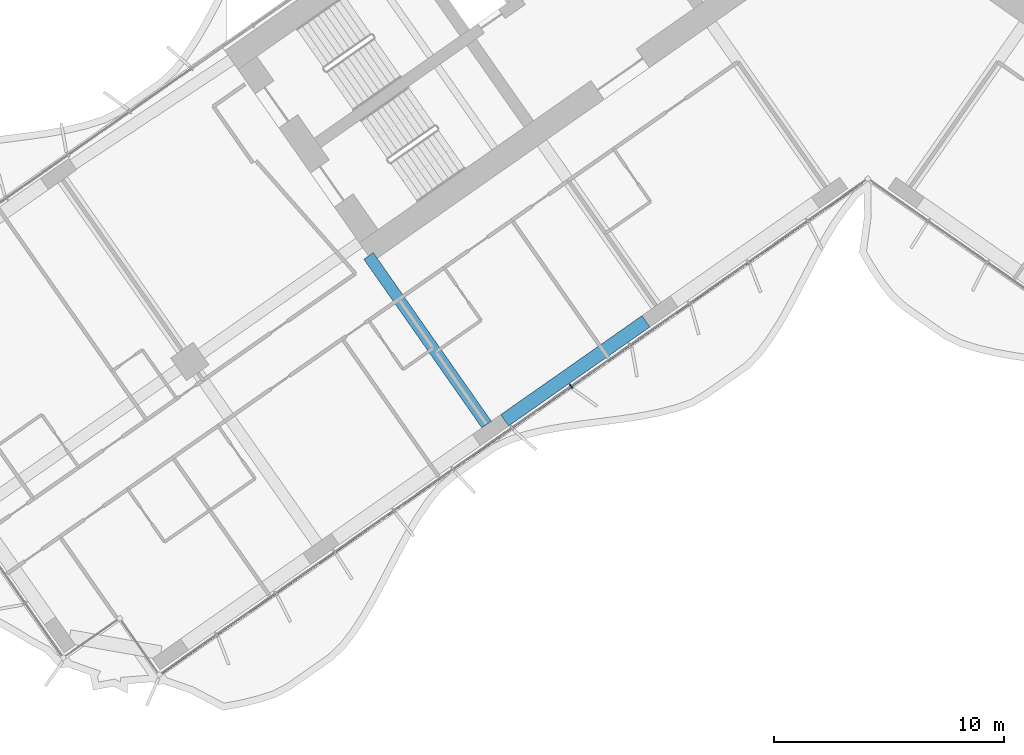
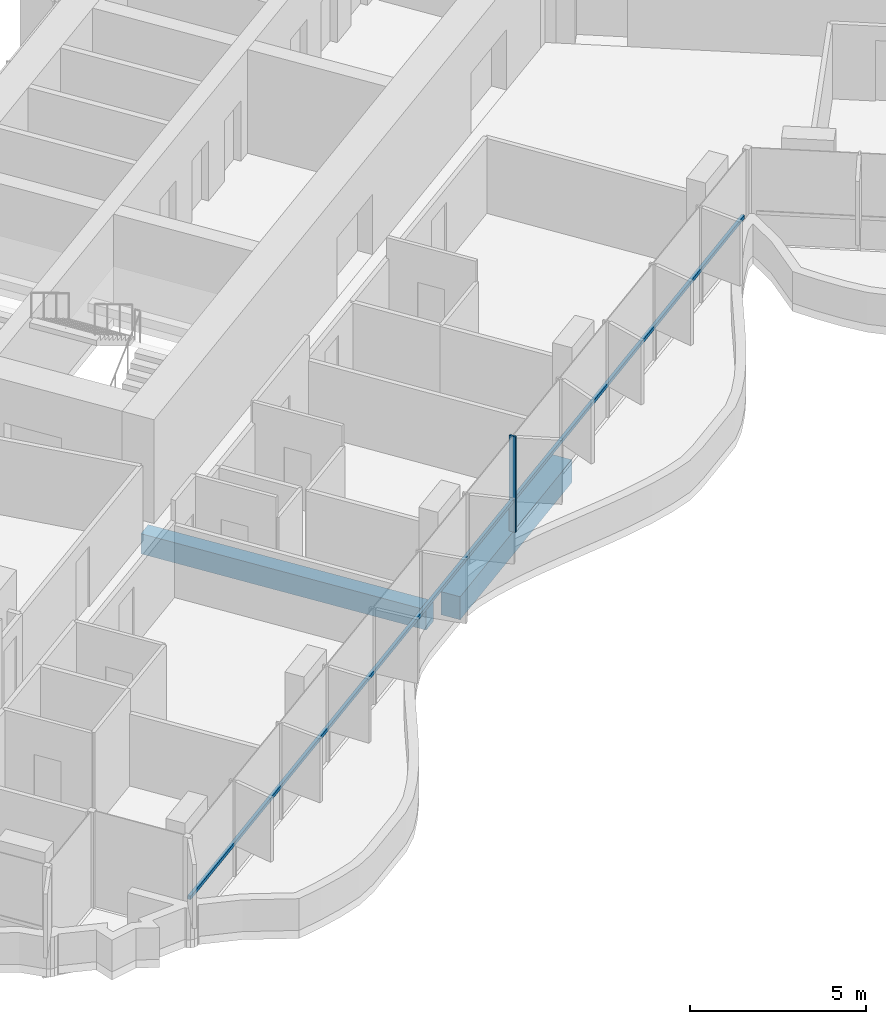
# One storey, part 3 of 24: 2 beams, 2 members, 1 element without a shape of its own.
"""IFC4 building model written with IfcOpenShell, lengths in metres."""

from ifc_helpers import new_model, si_unit, direction, frame, origin, origin_2d, place, context, subcontext, project, spatial, rectangle, extrude, material, material_profile, profile_set, type_object, element, aggregate, save


model = new_model("IFC4")

# Units and contexts
model_context = context("Model", 3, precision=1e-05, world=origin(), true_north=direction((0.0, 1.0)))
body_context = subcontext(model_context, "Body", "Model", "MODEL_VIEW")
ifc_project = project(units=[si_unit("LENGTHUNIT", "METRE"), si_unit("AREAUNIT", "SQUARE_METRE"), si_unit("VOLUMEUNIT", "CUBIC_METRE"), si_unit("PLANEANGLEUNIT", "RADIAN"), si_unit("MASSUNIT", "GRAM", prefix="KILO")], contexts=[model_context])

# Site, building, storey
site_placement = place(None, origin())
site = spatial("IfcSite", under=ifc_project, at=site_placement, CompositionType="ELEMENT")
building_placement = place(site_placement, origin())
building = spatial("IfcBuilding", under=site, at=building_placement, Name="Tel Ilan Convention Tower", CompositionType="ELEMENT")
storey_placement = place(building_placement, frame((0.0, 0.0, 68.89990234375)))
storey = spatial("IfcBuildingStorey", under=building, at=storey_placement, Name="L12", CompositionType="ELEMENT", Elevation=68.89990234375)

# Beams
ifc_material_1 = material(Name="Concrete C40/50", Category="concrete")
ifc_material_profile_1 = material_profile(ifc_material_1, rectangle(XDim=0.5, YDim=0.699951171875, at=origin_2d()), Name="RC 500x700")
ifc_profile_set_1 = profile_set([ifc_material_profile_1], Name="Concrete C40/50")
beam_type_1 = type_object("IfcBeamType", Name="Beam RC 500x700 Concrete C40/50", PredefinedType="BEAM", material=ifc_profile_set_1)
beam_1_placement = place(storey_placement, frame((-16.58203125, -23.391357421875, -0.6298828125), z_axis=(-0.573584999642, 0.819146048141, 0.0), x_axis=(-0.819146048141, -0.573584999642, 0.0)))
element("IfcBeam", 1, at=beam_1_placement, inside=storey, type_object=beam_type_1, Name="L12 beam W-W-F3-core", PredefinedType="BEAM", context=body_context, shape_type="SweptSolid", body=[
    extrude(rectangle(XDim=0.5, YDim=0.699951171875, at=origin_2d()), origin(), (0.0, 0.0, 1.0), 8.949951171875),
])
ifc_material_2 = material(Name="Concrete C40/50", Category="concrete")
ifc_material_profile_2 = material_profile(ifc_material_2, rectangle(XDim=0.60009765625, YDim=0.800048828125, at=origin_2d()), Name="RC 600x800")
ifc_profile_set_2 = profile_set([ifc_material_profile_2], Name="Concrete C40/50")
beam_type_2 = type_object("IfcBeamType", Name="Beam RC 600x800 Concrete C40/50", PredefinedType="BEAM", material=ifc_profile_set_2)
beam_2_placement = place(storey_placement, frame((-9.652099609375, -18.905029296875, -0.679931640625), z_axis=(-0.81915238829, -0.573575945067, 0.0), x_axis=(0.573575945067, -0.81915238829, 0.0)))
element("IfcBeam", 2, at=beam_2_placement, inside=storey, type_object=beam_type_2, Name="L12 beam W-W-F2-W-F3", PredefinedType="BEAM", context=body_context, shape_type="SweptSolid", body=[
    extrude(rectangle(XDim=0.60009765625, YDim=0.800048828125, at=origin_2d()), origin(), (0.0, 0.0, 1.0), 7.5),
])

# Curtain wall, members
ifc_material_3 = material(Name="Aluminium, bronze anodised", Category="aluminium")
curtain_wall_type = type_object("IfcCurtainWallType", Name="CW1 UNITISED CURTAIN WALL, HOTEL TINTED GLASS", PredefinedType="NOTDEFINED", material=ifc_material_3)
curtain_wall_placement = place(storey_placement, origin())
curtain_wall = element("IfcCurtainWall", 3, at=curtain_wall_placement, inside=storey, type_object=curtain_wall_type, Name="Curtain wall CW1-12.02", PredefinedType="NOTDEFINED")
ifc_material_4 = material(Name="Aluminium, bronze anodised", Category="aluminium")
ifc_material_profile_3 = material_profile(ifc_material_4, rectangle(XDim=0.06005859375, YDim=0.199951171875, at=origin_2d()), Name="CW MULLION 60x200")
ifc_profile_set_3 = profile_set([ifc_material_profile_3], Name="Aluminium, bronze anodised")
member_type_1 = type_object("IfcMemberType", Name="CW MULLION 60x200", PredefinedType="MULLION", material=ifc_profile_set_3)
member_1_placement = place(storey_placement, frame((-12.906982421875, -21.733642578125, 0.0), z_axis=(0.0, 0.0, 1.0), x_axis=(0.819152044289, 0.573576436351, 0.0)))
member_1 = element("IfcMember", 4, at=member_1_placement, type_object=member_type_1, Name="Mullion", PredefinedType="MULLION", context=body_context, shape_type="SweptSolid", body=[
    extrude(rectangle(XDim=0.06005859375, YDim=0.199951171875, at=origin_2d()), origin(), (0.0, 0.0, 1.0), 3.320068359375),
])
ifc_material_5 = material(Name="Aluminium, bronze anodised", Category="aluminium")
ifc_material_profile_4 = material_profile(ifc_material_5, rectangle(XDim=0.10009765625, YDim=0.1201171875, at=origin_2d()), Name="CW TRANSOM 100x120")
ifc_profile_set_4 = profile_set([ifc_material_profile_4], Name="Aluminium, bronze anodised")
member_type_2 = type_object("IfcMemberType", Name="CW TRANSOM 100x120", PredefinedType="USERDEFINED", material=ifc_profile_set_4)
member_2_placement = place(storey_placement, frame((-30.73291015625, -34.21533203125, 1.10009765625), z_axis=(0.819152467103, 0.57357583251, 0.0), x_axis=(-0.57357583251, 0.819152467103, 0.0)))
member_2 = element("IfcMember", 5, at=member_2_placement, type_object=member_type_2, Name="Transom", ObjectType="TRANSOM", PredefinedType="USERDEFINED", context=body_context, shape_type="SweptSolid", body=[
    extrude(rectangle(XDim=0.10009765625, YDim=0.1201171875, at=origin_2d()), origin(), (0.0, 0.0, 1.0), 37.247802734375),
])
aggregate(curtain_wall, [member_1, member_2])

save(model, "model.ifc")
